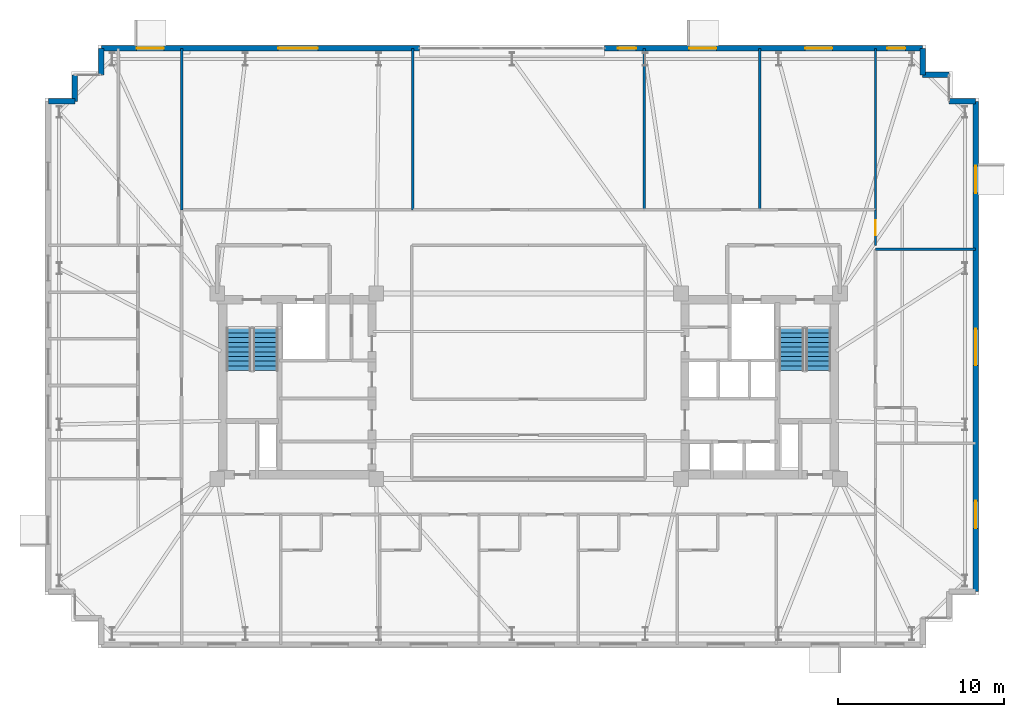
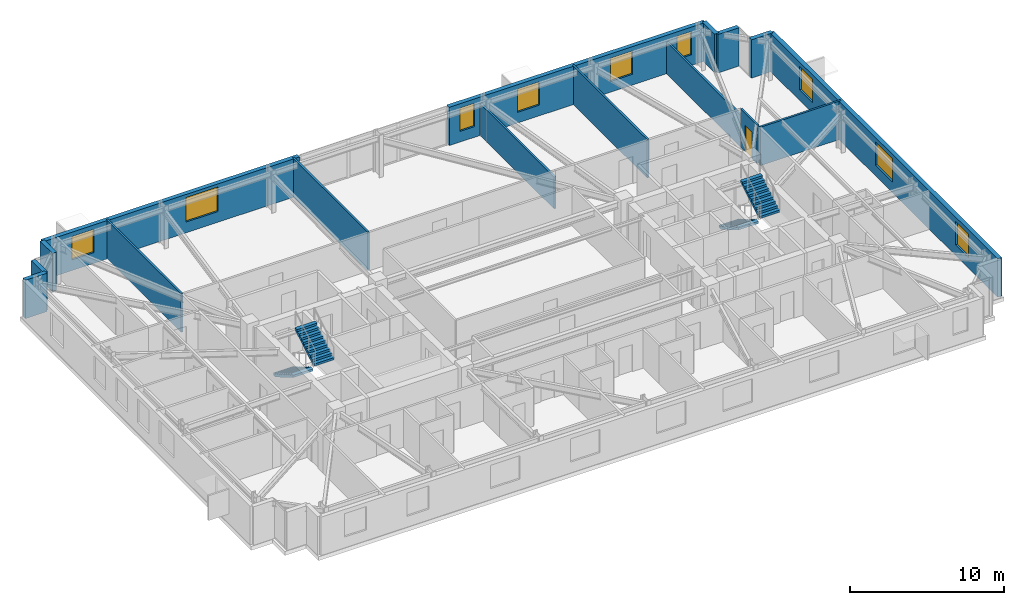
# One storey, part 16 of 18: 16 walls, 9 windows, 4 stair flights, 1 door, 10 openings, 2 elements without a shape of their own.
"""IFC4 building model written with IfcOpenShell, lengths in metres."""

from ifc_helpers import new_model, si_unit, direction, frame, frame_2d, origin, place, context, subcontext, project, spatial, polyline, rectangle, outline, extrude, material, layer, layer_set, type_object, element, fill, aggregate, save


model = new_model("IFC4")

# Units and contexts
model_context = context("Model", 3, precision=1e-05, world=origin(), true_north=direction((0.0, 1.0)))
body_context = subcontext(model_context, "Body", "Model", "MODEL_VIEW")
ifc_project = project(units=[si_unit("LENGTHUNIT", "METRE"), si_unit("AREAUNIT", "SQUARE_METRE"), si_unit("VOLUMEUNIT", "CUBIC_METRE"), si_unit("PLANEANGLEUNIT", "RADIAN"), si_unit("MASSUNIT", "GRAM", prefix="KILO")], contexts=[model_context])

# Site, building, storey
site_placement = place(None, origin())
site = spatial("IfcSite", under=ifc_project, at=site_placement, CompositionType="ELEMENT")
building_placement = place(site_placement, origin())
building = spatial("IfcBuilding", under=site, at=building_placement, Name="Qobustan Lattice House", CompositionType="ELEMENT")
storey_placement = place(building_placement, frame((0.0, 0.0, 151.10009765625)))
storey = spatial("IfcBuildingStorey", under=building, at=storey_placement, Name="L42", CompositionType="ELEMENT", Elevation=151.10009765625)

# Walls
ifc_material_1 = material(Name="Precast concrete C40/50", Category="concrete")
ifc_layer_1 = layer(ifc_material_1, 0.320068359375)
ifc_layer_set_1 = layer_set([ifc_layer_1], Name="Precast concrete C40/50")
wall_type_1 = type_object("IfcWallType", Name="WAL-EXT-STONE-320", PredefinedType="SOLIDWALL", material=ifc_layer_set_1)
for number, where, z_axis, x_axis, name in (
    (1, (-29.0, 17.199951171875, 0.0), (0.0, 0.0, 1.0), (1.0, 0.0, 0.0), "L42 exterior limestone-clad wall 6"),
    (2, (-27.39990234375, 17.199951171875, 0.0), (0.0, 0.0, 1.0), (0.0, 1.0, 0.0), "L42 exterior limestone-clad wall 7"),
):
    element("IfcWall", number, at=place(storey_placement, frame(where, z_axis=z_axis, x_axis=x_axis)), inside=storey, type_object=wall_type_1, Name=name, PredefinedType="SOLIDWALL", context=body_context, shape_type="SweptSolid", body=[
        extrude(rectangle(XDim=1.60009765625, YDim=0.320068359375, at=frame_2d((0.800048828125, 0.0))), origin(), (0.0, 0.0, 1.0), 3.039794921875),
    ])
wall_1_placement = place(storey_placement, frame((-25.800048828125, 18.800048828125, 0.0), z_axis=(0.0, 0.0, 1.0), x_axis=(0.0, 1.0, 0.0)))
element("IfcWall", 3, at=wall_1_placement, inside=storey, type_object=wall_type_1, Name="L42 exterior limestone-clad wall 9", PredefinedType="SOLIDWALL", context=body_context, shape_type="SweptSolid", body=[
    extrude(rectangle(XDim=1.599853515625, YDim=0.320068359375, at=frame_2d((0.7998046875, 0.0))), origin(), (0.0, 0.0, 1.0), 3.039794921875),
])

# Wall, openings, windows
wall_2_placement = place(storey_placement, frame((-25.800048828125, 20.39990234375, 0.0), z_axis=(0.0, 0.0, 1.0), x_axis=(1.0, 0.0, 0.0)))
wall_2 = element("IfcWall", 4, at=wall_2_placement, inside=storey, type_object=wall_type_1, Name="L42 iwan flank stone wall A", PredefinedType="SOLIDWALL", context=body_context, shape_type="SweptSolid", body=[
    extrude(rectangle(XDim=19.199951171875, YDim=0.320068359375, at=frame_2d((9.60009765625, 0.0))), origin(), (0.0, 0.0, 1.0), 3.039794921875),
])
opening_1_placement = place(wall_2_placement, frame((2.135009765625, 0.0, 0.85009765625)))
opening_1 = element("IfcOpeningElement", 5, at=opening_1_placement, cuts=wall_2, Name="Opening WN-09", PredefinedType="OPENING", context=body_context, shape_type="SweptSolid", body=[
    extrude(rectangle(XDim=1.64990234375, YDim=1.85009765625, at=frame_2d((0.824951171875, 0.925048828125))), frame((0.0, 0.169921875, 0.0), z_axis=(0.0, -1.0, 0.0), x_axis=(1.0, 0.0, 0.0)), (0.0, 0.0, 1.0), 0.340087890625),
])
opening_2_placement = place(wall_2_placement, frame((10.679931640625, 0.0, 0.85009765625)))
opening_2 = element("IfcOpeningElement", 6, at=opening_2_placement, cuts=wall_2, Name="Opening WN-10", PredefinedType="OPENING", context=body_context, shape_type="SweptSolid", body=[
    extrude(rectangle(XDim=2.39990234375, YDim=1.949951171875, at=frame_2d((1.199951171875, 0.97509765625))), frame((0.0, 0.169921875, 0.0), z_axis=(0.0, -1.0, 0.0), x_axis=(1.0, 0.0, 0.0)), (0.0, 0.0, 1.0), 0.340087890625),
])
ifc_material_2 = material(Name="Double-glazed low-E aluminium window", Category="aluminium")
window_type_1 = type_object("IfcWindowType", Name="WIN-LNG-2400x1950", PartitioningType="SINGLE_PANEL", PredefinedType="WINDOW", material=ifc_material_2)
window_1_placement = place(opening_2_placement, origin())
window_1 = element("IfcWindow", 7, at=window_1_placement, inside=storey, type_object=window_type_1, Name="L42 Walnut iwan sky lounge N1 window", OverallHeight=1.949951171875, OverallWidth=2.39990234375, PartitioningType="SINGLE_PANEL", PredefinedType="WINDOW", context=body_context, shape_type="SweptSolid", body=[
    extrude(rectangle(XDim=2.39990234375, YDim=1.949951171875, at=frame_2d((1.199951171875, 0.97509765625))), frame((0.0, 0.030029296875, 0.0), z_axis=(0.0, -1.0, 0.0), x_axis=(1.0, 0.0, 0.0)), (0.0, 0.0, 1.0), 0.06005859375),
])
fill(opening_2, window_1)
ifc_material_3 = material(Name="Double-glazed low-E aluminium window", Category="aluminium")
window_type_2 = type_object("IfcWindowType", Name="WIN-STU-1650x1850", PartitioningType="SINGLE_PANEL", PredefinedType="WINDOW", material=ifc_material_3)
window_2_placement = place(opening_1_placement, origin())
window_2 = element("IfcWindow", 8, at=window_2_placement, inside=storey, type_object=window_type_2, Name="L42 Reading seminar room L42WN window", OverallHeight=1.85009765625, OverallWidth=1.64990234375, PartitioningType="SINGLE_PANEL", PredefinedType="WINDOW", context=body_context, shape_type="SweptSolid", body=[
    extrude(rectangle(XDim=1.64990234375, YDim=1.85009765625, at=frame_2d((0.824951171875, 0.925048828125))), frame((0.0, 0.030029296875, 0.0), z_axis=(0.0, -1.0, 0.0), x_axis=(1.0, 0.0, 0.0)), (0.0, 0.0, 1.0), 0.06005859375),
])
fill(opening_1, window_2)

wall_3_placement = place(storey_placement, frame((4.60009765625, 20.39990234375, 0.0), z_axis=(0.0, 0.0, 1.0), x_axis=(1.0, 0.0, 0.0)))
wall_3 = element("IfcWall", 9, at=wall_3_placement, inside=storey, type_object=wall_type_1, Name="L42 iwan flank stone wall B", PredefinedType="SOLIDWALL", context=body_context, shape_type="SweptSolid", body=[
    extrude(rectangle(XDim=19.199951171875, YDim=0.320068359375, at=frame_2d((9.60009765625, 0.0))), origin(), (0.0, 0.0, 1.0), 3.039794921875),
])
opening_3_placement = place(wall_3_placement, frame((0.800048828125, 0.0, 0.85009765625)))
opening_3 = element("IfcOpeningElement", 10, at=opening_3_placement, cuts=wall_3, Name="Opening WN-04", PredefinedType="OPENING", context=body_context, shape_type="SweptSolid", body=[
    extrude(rectangle(XDim=1.10009765625, YDim=1.85009765625, at=frame_2d((0.550048828125, 0.925048828125))), frame((0.0, 0.169921875, 0.0), z_axis=(0.0, -1.0, 0.0), x_axis=(1.0, 0.0, 0.0)), (0.0, 0.0, 1.0), 0.340087890625),
])
opening_4_placement = place(wall_3_placement, frame((5.094970703125, 0.0, 0.85009765625)))
opening_4 = element("IfcOpeningElement", 11, at=opening_4_placement, cuts=wall_3, Name="Opening WN-09", PredefinedType="OPENING", context=body_context, shape_type="SweptSolid", body=[
    extrude(rectangle(XDim=1.64990234375, YDim=1.85009765625, at=frame_2d((0.824951171875, 0.925048828125))), frame((0.0, 0.169921875, 0.0), z_axis=(0.0, -1.0, 0.0), x_axis=(1.0, 0.0, 0.0)), (0.0, 0.0, 1.0), 0.340087890625),
])
opening_5_placement = place(wall_3_placement, frame((12.094970703125, 0.0, 0.85009765625)))
opening_5 = element("IfcOpeningElement", 12, at=opening_5_placement, cuts=wall_3, Name="Opening WN-09", PredefinedType="OPENING", context=body_context, shape_type="SweptSolid", body=[
    extrude(rectangle(XDim=1.64990234375, YDim=1.85009765625, at=frame_2d((0.824951171875, 0.925048828125))), frame((0.0, 0.169921875, 0.0), z_axis=(0.0, -1.0, 0.0), x_axis=(1.0, 0.0, 0.0)), (0.0, 0.0, 1.0), 0.340087890625),
])
opening_6_placement = place(wall_3_placement, frame((17.050048828125, 0.0, 0.85009765625)))
opening_6 = element("IfcOpeningElement", 13, at=opening_6_placement, cuts=wall_3, Name="Opening WN-04", PredefinedType="OPENING", context=body_context, shape_type="SweptSolid", body=[
    extrude(rectangle(XDim=1.10009765625, YDim=1.85009765625, at=frame_2d((0.550048828125, 0.925048828125))), frame((0.0, 0.169921875, 0.0), z_axis=(0.0, -1.0, 0.0), x_axis=(1.0, 0.0, 0.0)), (0.0, 0.0, 1.0), 0.340087890625),
])
ifc_material_4 = material(Name="Double-glazed low-E aluminium window", Category="aluminium")
window_type_3 = type_object("IfcWindowType", Name="WIN-NAR-1100x1850", PartitioningType="SINGLE_PANEL", PredefinedType="WINDOW", material=ifc_material_4)
window_3_placement = place(opening_3_placement, origin())
window_3 = element("IfcWindow", 14, at=window_3_placement, inside=storey, type_object=window_type_3, Name="L42 Walnut iwan sky lounge N2 window", OverallHeight=1.85009765625, OverallWidth=1.10009765625, PartitioningType="SINGLE_PANEL", PredefinedType="WINDOW", context=body_context, shape_type="SweptSolid", body=[
    extrude(rectangle(XDim=1.10009765625, YDim=1.85009765625, at=frame_2d((0.550048828125, 0.925048828125))), frame((0.0, 0.030029296875, 0.0), z_axis=(0.0, -1.0, 0.0), x_axis=(1.0, 0.0, 0.0)), (0.0, 0.0, 1.0), 0.06005859375),
])
fill(opening_3, window_3)
window_4_placement = place(opening_6_placement, origin())
window_4 = element("IfcWindow", 15, at=window_4_placement, inside=storey, type_object=window_type_3, Name="L42 Focus study room E3 window", OverallHeight=1.85009765625, OverallWidth=1.10009765625, PartitioningType="SINGLE_PANEL", PredefinedType="WINDOW", context=body_context, shape_type="SweptSolid", body=[
    extrude(rectangle(XDim=1.10009765625, YDim=1.85009765625, at=frame_2d((0.550048828125, 0.925048828125))), frame((0.0, 0.030029296875, 0.0), z_axis=(0.0, -1.0, 0.0), x_axis=(1.0, 0.0, 0.0)), (0.0, 0.0, 1.0), 0.06005859375),
])
fill(opening_6, window_4)
window_5_placement = place(opening_4_placement, origin())
window_5 = element("IfcWindow", 16, at=window_5_placement, inside=storey, type_object=window_type_2, Name="L42 Focus study room N3A window", OverallHeight=1.85009765625, OverallWidth=1.64990234375, PartitioningType="SINGLE_PANEL", PredefinedType="WINDOW", context=body_context, shape_type="SweptSolid", body=[
    extrude(rectangle(XDim=1.64990234375, YDim=1.85009765625, at=frame_2d((0.824951171875, 0.925048828125))), frame((0.0, 0.030029296875, 0.0), z_axis=(0.0, -1.0, 0.0), x_axis=(1.0, 0.0, 0.0)), (0.0, 0.0, 1.0), 0.06005859375),
])
fill(opening_4, window_5)
window_6_placement = place(opening_5_placement, origin())
window_6 = element("IfcWindow", 17, at=window_6_placement, inside=storey, type_object=window_type_2, Name="L42 Focus study room N3B window", OverallHeight=1.85009765625, OverallWidth=1.64990234375, PartitioningType="SINGLE_PANEL", PredefinedType="WINDOW", context=body_context, shape_type="SweptSolid", body=[
    extrude(rectangle(XDim=1.64990234375, YDim=1.85009765625, at=frame_2d((0.824951171875, 0.925048828125))), frame((0.0, 0.030029296875, 0.0), z_axis=(0.0, -1.0, 0.0), x_axis=(1.0, 0.0, 0.0)), (0.0, 0.0, 1.0), 0.06005859375),
])
fill(opening_5, window_6)

# Walls
for number, where, z_axis, x_axis, name in (
    (18, (23.800048828125, 20.39990234375, 0.0), (0.0, 0.0, 1.0), (0.0, -1.0, 0.0), "L42 exterior limestone-clad wall 11"),
    (19, (23.800048828125, 18.800048828125, 0.0), (0.0, 0.0, 1.0), (1.0, 0.0, 0.0), "L42 exterior limestone-clad wall 12"),
):
    element("IfcWall", number, at=place(storey_placement, frame(where, z_axis=z_axis, x_axis=x_axis)), inside=storey, type_object=wall_type_1, Name=name, PredefinedType="SOLIDWALL", context=body_context, shape_type="SweptSolid", body=[
        extrude(rectangle(XDim=1.599853515625, YDim=0.320068359375, at=frame_2d((0.7998046875, 0.0))), origin(), (0.0, 0.0, 1.0), 3.039794921875),
    ])
wall_4_placement = place(storey_placement, frame((25.39990234375, 17.199951171875, 0.0), z_axis=(0.0, 0.0, 1.0), x_axis=(1.0, 0.0, 0.0)))
element("IfcWall", 20, at=wall_4_placement, inside=storey, type_object=wall_type_1, Name="L42 exterior limestone-clad wall 14", PredefinedType="SOLIDWALL", context=body_context, shape_type="SweptSolid", body=[
    extrude(rectangle(XDim=1.60009765625, YDim=0.320068359375, at=frame_2d((0.800048828125, 0.0))), origin(), (0.0, 0.0, 1.0), 3.039794921875),
])

# Wall, openings, windows
wall_5_placement = place(storey_placement, frame((27.0, 17.199951171875, 0.0), z_axis=(0.0, 0.0, 1.0), x_axis=(0.0, -1.0, 0.0)))
wall_5 = element("IfcWall", 21, at=wall_5_placement, inside=storey, type_object=wall_type_1, Name="L42 exterior limestone-clad wall 15", PredefinedType="SOLIDWALL", context=body_context, shape_type="SweptSolid", body=[
    extrude(rectangle(XDim=29.599853515625, YDim=0.320068359375, at=frame_2d((14.7998046875, 0.0))), origin(), (0.0, 0.0, 1.0), 3.039794921875),
])
opening_7_placement = place(wall_5_placement, frame((3.89501953125, 0.0, 0.85009765625)))
opening_7 = element("IfcOpeningElement", 22, at=opening_7_placement, cuts=wall_5, Name="Opening WN-09", PredefinedType="OPENING", context=body_context, shape_type="SweptSolid", body=[
    extrude(rectangle(XDim=1.64990234375, YDim=1.85009765625, at=frame_2d((0.824951171875, 0.925048828125))), frame((0.0, 0.169921875, 0.0), z_axis=(0.0, -1.0, 0.0), x_axis=(1.0, 0.0, 0.0)), (0.0, 0.0, 1.0), 0.340087890625),
])
opening_8_placement = place(wall_5_placement, frame((13.739990234375, 0.0, 0.85009765625)))
opening_8 = element("IfcOpeningElement", 23, at=opening_8_placement, cuts=wall_5, Name="Opening WN-03", PredefinedType="OPENING", context=body_context, shape_type="SweptSolid", body=[
    extrude(rectangle(XDim=2.199951171875, YDim=1.85009765625, at=frame_2d((1.10009765625, 0.925048828125))), frame((0.0, 0.169921875, 0.0), z_axis=(0.0, -1.0, 0.0), x_axis=(1.0, 0.0, 0.0)), (0.0, 0.0, 1.0), 0.340087890625),
])
opening_9_placement = place(wall_5_placement, frame((24.135009765625, 0.0, 0.85009765625)))
opening_9 = element("IfcOpeningElement", 24, at=opening_9_placement, cuts=wall_5, Name="Opening WN-09", PredefinedType="OPENING", context=body_context, shape_type="SweptSolid", body=[
    extrude(rectangle(XDim=1.64990234375, YDim=1.85009765625, at=frame_2d((0.824951171875, 0.925048828125))), frame((0.0, 0.169921875, 0.0), z_axis=(0.0, -1.0, 0.0), x_axis=(1.0, 0.0, 0.0)), (0.0, 0.0, 1.0), 0.340087890625),
])
window_7_placement = place(opening_7_placement, origin())
window_7 = element("IfcWindow", 25, at=window_7_placement, inside=storey, type_object=window_type_2, Name="L42 Focus study room E3 window", OverallHeight=1.85009765625, OverallWidth=1.64990234375, PartitioningType="SINGLE_PANEL", PredefinedType="WINDOW", context=body_context, shape_type="SweptSolid", body=[
    extrude(rectangle(XDim=1.64990234375, YDim=1.85009765625, at=frame_2d((0.824951171875, 0.925048828125))), frame((0.0, 0.030029296875, 0.0), z_axis=(0.0, -1.0, 0.0), x_axis=(1.0, 0.0, 0.0)), (0.0, 0.0, 1.0), 0.06005859375),
])
fill(opening_7, window_7)
window_8_placement = place(opening_9_placement, origin())
window_8 = element("IfcWindow", 26, at=window_8_placement, inside=storey, type_object=window_type_2, Name="L42 Focus study room E1 window", OverallHeight=1.85009765625, OverallWidth=1.64990234375, PartitioningType="SINGLE_PANEL", PredefinedType="WINDOW", context=body_context, shape_type="SweptSolid", body=[
    extrude(rectangle(XDim=1.64990234375, YDim=1.85009765625, at=frame_2d((0.824951171875, 0.925048828125))), frame((0.0, 0.030029296875, 0.0), z_axis=(0.0, -1.0, 0.0), x_axis=(1.0, 0.0, 0.0)), (0.0, 0.0, 1.0), 0.06005859375),
])
fill(opening_9, window_8)
ifc_material_5 = material(Name="Double-glazed low-E aluminium window", Category="aluminium")
window_type_4 = type_object("IfcWindowType", Name="WIN-WIDE-2200x1850", PartitioningType="SINGLE_PANEL", PredefinedType="WINDOW", material=ifc_material_5)
window_9_placement = place(opening_8_placement, origin())
window_9 = element("IfcWindow", 27, at=window_9_placement, inside=storey, type_object=window_type_4, Name="L42 Kitchenette and studio apartment L42-E2 window", OverallHeight=1.85009765625, OverallWidth=2.199951171875, PartitioningType="SINGLE_PANEL", PredefinedType="WINDOW", context=body_context, shape_type="SweptSolid", body=[
    extrude(rectangle(XDim=2.199951171875, YDim=1.85009765625, at=frame_2d((1.10009765625, 0.925048828125))), frame((0.0, 0.030029296875, 0.0), z_axis=(0.0, -1.0, 0.0), x_axis=(1.0, 0.0, 0.0)), (0.0, 0.0, 1.0), 0.06005859375),
])
fill(opening_8, window_9)

# Wall, opening, door
ifc_material_6 = material(Name="Acoustic twin-stud gypsum partition", Category="gypsum")
ifc_layer_2 = layer(ifc_material_6, 0.14990234375)
ifc_layer_set_2 = layer_set([ifc_layer_2], Name="Acoustic twin-stud gypsum partition")
wall_type_2 = type_object("IfcWallType", Name="WAL-PART-150", PredefinedType="PARTITIONING", material=ifc_layer_set_2)
wall_6_placement = place(storey_placement, frame((20.949951171875, 10.64990234375, 0.0), z_axis=(0.0, 0.0, 1.0), x_axis=(0.0, -1.0, 0.0)))
wall_6 = element("IfcWall", 28, at=wall_6_placement, inside=storey, type_object=wall_type_2, Name="L42 interior partition 38", PredefinedType="PARTITIONING", context=body_context, shape_type="SweptSolid", body=[
    extrude(rectangle(XDim=2.14990234375, YDim=0.14990234375, at=frame_2d((1.074951171875, 0.0))), origin(), (0.0, 0.0, 1.0), 3.039794921875),
])
opening_10_placement = place(wall_6_placement, frame((0.625, 0.0, 0.0)))
opening_10 = element("IfcOpeningElement", 29, at=opening_10_placement, cuts=wall_6, Name="Opening WD-01", PredefinedType="OPENING", context=body_context, shape_type="SweptSolid", body=[
    extrude(rectangle(XDim=0.89990234375, YDim=2.10009765625, at=frame_2d((0.449951171875, 1.050048828125))), frame((0.0, 0.0849609375, 0.0), z_axis=(0.0, -1.0, 0.0), x_axis=(1.0, 0.0, 0.0)), (0.0, 0.0, 1.0), 0.169921875),
])
ifc_material_7 = material(Name="Persian walnut timber and steel frame door", Category="steel")
door_type = type_object("IfcDoorType", Name="DOR-WET-900x2100", OperationType="NOTDEFINED", PredefinedType="DOOR", material=ifc_material_7)
door_placement = place(opening_10_placement, origin())
door = element("IfcDoor", 30, at=door_placement, inside=storey, type_object=door_type, Name="L42 North-east floor corridor to Focus study room E3 door", OperationType="SINGLE_SWING_RIGHT", OverallHeight=2.10009765625, OverallWidth=0.89990234375, PredefinedType="DOOR", context=body_context, shape_type="SweptSolid", body=[
    extrude(rectangle(XDim=0.89990234375, YDim=2.10009765625, at=frame_2d((0.449951171875, 1.050048828125))), frame((0.0, 0.02490234375, 0.0), z_axis=(0.0, -1.0, 0.0), x_axis=(1.0, 0.0, 0.0)), (0.0, 0.0, 1.0), 0.050048828125),
])
fill(opening_10, door)

# Walls
wall_7_placement = place(storey_placement, frame((-20.949951171875, 20.39990234375, 0.0), z_axis=(0.0, 0.0, 1.0), x_axis=(0.0, -1.0, 0.0)))
element("IfcWall", 31, at=wall_7_placement, inside=storey, type_object=wall_type_2, Name="L42 interior partition 79", PredefinedType="PARTITIONING", context=body_context, shape_type="SweptSolid", body=[
    extrude(rectangle(XDim=9.75, YDim=0.14990234375, at=frame_2d((4.875, 0.0))), origin(), (0.0, 0.0, 1.0), 3.039794921875),
])
wall_8_placement = place(storey_placement, frame((20.949951171875, 8.260009765625, 0.0), z_axis=(0.0, 0.0, 1.0), x_axis=(1.0, 0.0, 0.0)))
element("IfcWall", 32, at=wall_8_placement, inside=storey, type_object=wall_type_2, Name="L42 interior partition 92", PredefinedType="PARTITIONING", context=body_context, shape_type="SweptSolid", body=[
    extrude(rectangle(XDim=6.050048828125, YDim=0.14990234375, at=frame_2d((3.02490234375, 0.0))), origin(), (0.0, 0.0, 1.0), 3.039794921875),
])
wall_9_placement = place(storey_placement, frame((20.949951171875, 10.64990234375, 0.0), z_axis=(0.0, 0.0, 1.0), x_axis=(0.0, 1.0, 0.0)))
element("IfcWall", 33, at=wall_9_placement, inside=storey, type_object=wall_type_2, Name="L42 interior partition 93", PredefinedType="PARTITIONING", context=body_context, shape_type="SweptSolid", body=[
    extrude(rectangle(XDim=9.75, YDim=0.14990234375, at=frame_2d((4.875, 0.0))), origin(), (0.0, 0.0, 1.0), 2.52490234375),
])
wall_10_placement = place(storey_placement, frame((-6.98291015625, 20.39990234375, 0.0), z_axis=(0.0, 0.0, 1.0), x_axis=(0.0, -1.0, 0.0)))
element("IfcWall", 34, at=wall_10_placement, inside=storey, type_object=wall_type_2, Name="L42 interior partition 94", PredefinedType="PARTITIONING", context=body_context, shape_type="SweptSolid", body=[
    extrude(rectangle(XDim=9.75, YDim=0.14990234375, at=frame_2d((4.875, 0.0))), origin(), (0.0, 0.0, 1.0), 3.039794921875),
])
wall_11_placement = place(storey_placement, frame((6.98291015625, 20.39990234375, 0.0), z_axis=(0.0, 0.0, 1.0), x_axis=(0.0, -1.0, 0.0)))
element("IfcWall", 35, at=wall_11_placement, inside=storey, type_object=wall_type_2, Name="L42 interior partition 95", PredefinedType="PARTITIONING", context=body_context, shape_type="SweptSolid", body=[
    extrude(rectangle(XDim=9.75, YDim=0.14990234375, at=frame_2d((4.875, 0.0))), origin(), (0.0, 0.0, 1.0), 2.52490234375),
])
wall_12_placement = place(storey_placement, frame((13.966552734375, 20.39990234375, 0.0), z_axis=(0.0, 0.0, 1.0), x_axis=(0.0, -1.0, 0.0)))
element("IfcWall", 36, at=wall_12_placement, inside=storey, type_object=wall_type_2, Name="L42 interior partition 96", PredefinedType="PARTITIONING", context=body_context, shape_type="SweptSolid", body=[
    extrude(rectangle(XDim=9.75, YDim=0.14990234375, at=frame_2d((4.875, 0.0))), origin(), (0.0, 0.0, 1.0), 3.039794921875),
])

# Stair, stair flights
ifc_material_8 = material(Name="Concrete C40/50", Category="concrete")
stair_type = type_object("IfcStairType", Name="STR-CORE-DOGLEG", PredefinedType="HALF_TURN_STAIR", material=ifc_material_8)
stair_1_placement = place(storey_placement, origin())
stair_1 = element("IfcStair", 37, at=stair_1_placement, inside=storey, type_object=stair_type, Name="L42 West protected exit stair ST-W1", PredefinedType="HALF_TURN_STAIR")
ifc_material_9 = material(Name="Concrete C40/50", Category="concrete")
stair_flight_type = type_object("IfcStairFlightType", Name="SFL-RC-1500", PredefinedType="STRAIGHT", material=ifc_material_9)
stair_flight_1_placement = place(storey_placement, frame((-17.5, 3.5, 0.0), z_axis=(0.0, 0.0, 1.0), x_axis=(0.0, -1.0, 0.0)))
stair_flight_1 = element("IfcStairFlight", 38, at=stair_flight_1_placement, type_object=stair_flight_type, Name="ST-W1 flight 1", NumberOfRisers=10, NumberOfTreads=9, PredefinedType="STRAIGHT", RiserHeight=0.1675, TreadLength=0.285, context=body_context, shape_type="SweptSolid", body=[
    extrude(outline(polyline([(0.0, 0.0), (0.0, 0.16748046875), (0.284912109375, 0.16748046875), (0.284912109375, 0.3349609375), (0.570068359375, 0.3349609375), (0.570068359375, 0.50244140625), (0.85498046875, 0.50244140625), (0.85498046875, 0.669921875), (1.139892578125, 0.669921875), (1.139892578125, 0.83740234375), (1.425048828125, 0.83740234375), (1.425048828125, 1.0048828125), (1.7099609375, 1.0048828125), (1.7099609375, 1.172607421875), (1.9951171875, 1.172607421875), (1.9951171875, 1.340087890625), (2.280029296875, 1.340087890625), (2.280029296875, 1.507568359375), (2.56494140625, 1.507568359375), (2.56494140625, 1.675048828125), (2.56494140625, 1.333740234375), (0.2958984375, 0.0), (0.0, 0.0)])), frame((0.0, 0.75, 0.0), z_axis=(0.0, -1.0, 0.0), x_axis=(1.0, 0.0, 0.0)), (0.0, 0.0, 1.0), 1.5),
])
stair_flight_2_placement = place(storey_placement, frame((-15.8798828125, 0.93505859375, 1.6748046875), z_axis=(0.0, 0.0, 1.0), x_axis=(0.0, 1.0, 0.0)))
stair_flight_2 = element("IfcStairFlight", 39, at=stair_flight_2_placement, type_object=stair_flight_type, Name="ST-W1 flight 2", NumberOfRisers=10, NumberOfTreads=9, PredefinedType="STRAIGHT", RiserHeight=0.1675, TreadLength=0.285, context=body_context, shape_type="SweptSolid", body=[
    extrude(outline(polyline([(0.0, 0.0), (0.0, 0.16748046875), (0.284912109375, 0.16748046875), (0.284912109375, 0.3349609375), (0.570068359375, 0.3349609375), (0.570068359375, 0.50244140625), (0.85498046875, 0.50244140625), (0.85498046875, 0.669921875), (1.139892578125, 0.669921875), (1.139892578125, 0.83740234375), (1.425048828125, 0.83740234375), (1.425048828125, 1.0048828125), (1.7099609375, 1.0048828125), (1.7099609375, 1.172607421875), (1.9951171875, 1.172607421875), (1.9951171875, 1.340087890625), (2.280029296875, 1.340087890625), (2.280029296875, 1.507568359375), (2.56494140625, 1.507568359375), (2.56494140625, 1.675048828125), (2.56494140625, 1.333740234375), (0.2958984375, 0.0), (0.0, 0.0)])), frame((0.0, 0.75, 0.0), z_axis=(0.0, -1.0, 0.0), x_axis=(1.0, 0.0, 0.0)), (0.0, 0.0, 1.0), 1.5),
])
aggregate(stair_1, [stair_flight_1, stair_flight_2])

stair_2_placement = place(storey_placement, origin())
stair_2 = element("IfcStair", 40, at=stair_2_placement, inside=storey, type_object=stair_type, Name="L42 East protected exit stair ST-E1", PredefinedType="HALF_TURN_STAIR")
stair_flight_3_placement = place(storey_placement, frame((15.8798828125, 3.5, 0.0), z_axis=(0.0, 0.0, 1.0), x_axis=(0.0, -1.0, 0.0)))
stair_flight_3 = element("IfcStairFlight", 41, at=stair_flight_3_placement, type_object=stair_flight_type, Name="ST-E1 flight 1", NumberOfRisers=10, NumberOfTreads=9, PredefinedType="STRAIGHT", RiserHeight=0.1675, TreadLength=0.285, context=body_context, shape_type="SweptSolid", body=[
    extrude(outline(polyline([(0.0, 0.0), (0.0, 0.16748046875), (0.284912109375, 0.16748046875), (0.284912109375, 0.3349609375), (0.570068359375, 0.3349609375), (0.570068359375, 0.50244140625), (0.85498046875, 0.50244140625), (0.85498046875, 0.669921875), (1.139892578125, 0.669921875), (1.139892578125, 0.83740234375), (1.425048828125, 0.83740234375), (1.425048828125, 1.0048828125), (1.7099609375, 1.0048828125), (1.7099609375, 1.172607421875), (1.9951171875, 1.172607421875), (1.9951171875, 1.340087890625), (2.280029296875, 1.340087890625), (2.280029296875, 1.507568359375), (2.56494140625, 1.507568359375), (2.56494140625, 1.675048828125), (2.56494140625, 1.333740234375), (0.2958984375, 0.0), (0.0, 0.0)])), frame((0.0, 0.75, 0.0), z_axis=(0.0, -1.0, 0.0), x_axis=(1.0, 0.0, 0.0)), (0.0, 0.0, 1.0), 1.5),
])
stair_flight_4_placement = place(storey_placement, frame((17.5, 0.93505859375, 1.6748046875), z_axis=(0.0, 0.0, 1.0), x_axis=(0.0, 1.0, 0.0)))
stair_flight_4 = element("IfcStairFlight", 42, at=stair_flight_4_placement, type_object=stair_flight_type, Name="ST-E1 flight 2", NumberOfRisers=10, NumberOfTreads=9, PredefinedType="STRAIGHT", RiserHeight=0.1675, TreadLength=0.285, context=body_context, shape_type="SweptSolid", body=[
    extrude(outline(polyline([(0.0, 0.0), (0.0, 0.16748046875), (0.284912109375, 0.16748046875), (0.284912109375, 0.3349609375), (0.570068359375, 0.3349609375), (0.570068359375, 0.50244140625), (0.85498046875, 0.50244140625), (0.85498046875, 0.669921875), (1.139892578125, 0.669921875), (1.139892578125, 0.83740234375), (1.425048828125, 0.83740234375), (1.425048828125, 1.0048828125), (1.7099609375, 1.0048828125), (1.7099609375, 1.172607421875), (1.9951171875, 1.172607421875), (1.9951171875, 1.340087890625), (2.280029296875, 1.340087890625), (2.280029296875, 1.507568359375), (2.56494140625, 1.507568359375), (2.56494140625, 1.675048828125), (2.56494140625, 1.333740234375), (0.2958984375, 0.0), (0.0, 0.0)])), frame((0.0, 0.75, 0.0), z_axis=(0.0, -1.0, 0.0), x_axis=(1.0, 0.0, 0.0)), (0.0, 0.0, 1.0), 1.5),
])
aggregate(stair_2, [stair_flight_3, stair_flight_4])

save(model, "model.ifc")
